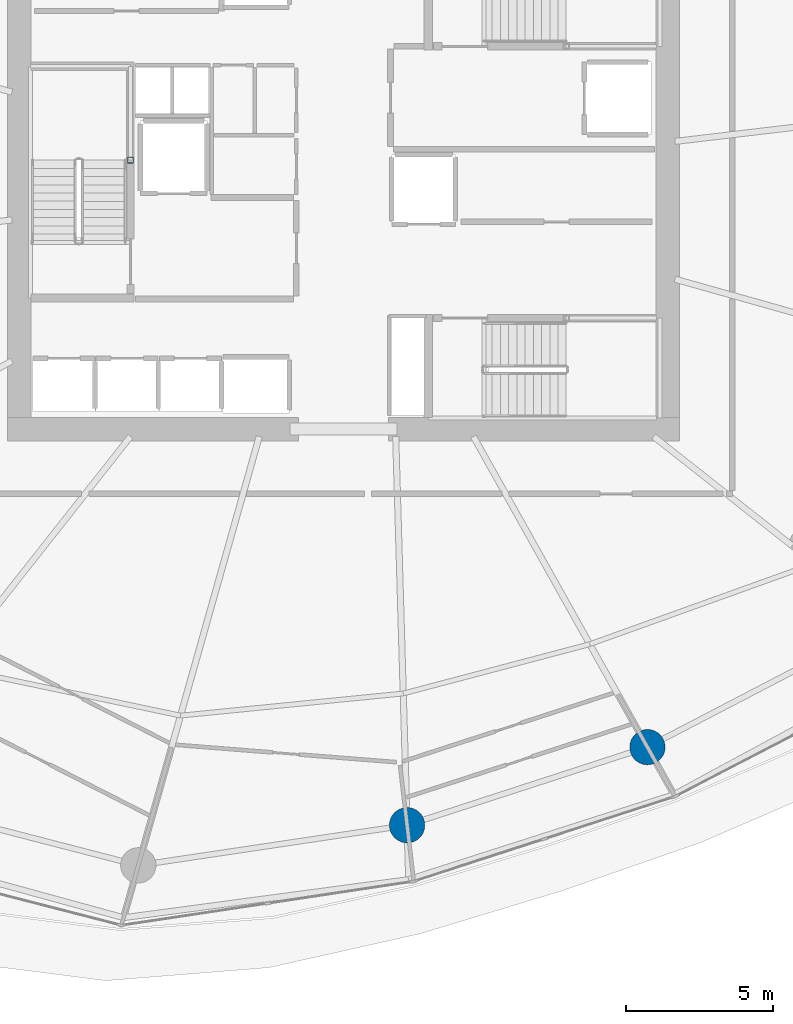
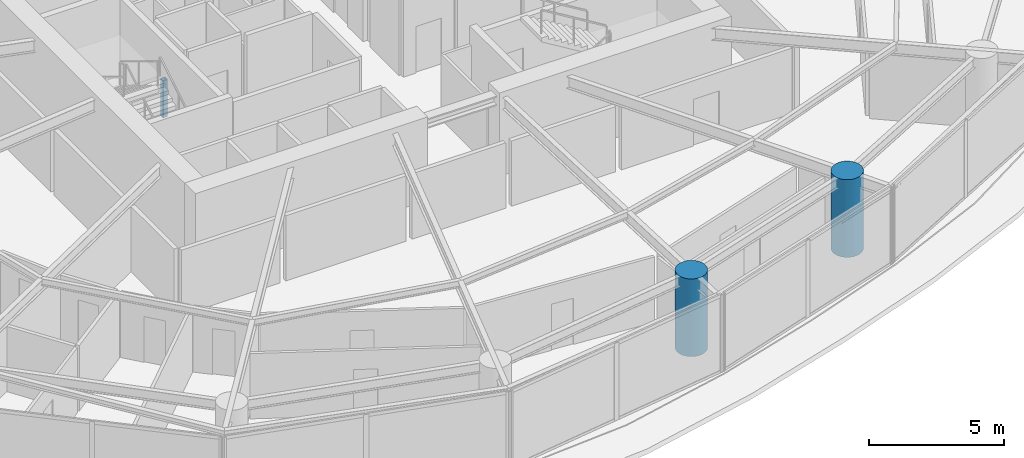
# One storey, part 2 of 17: 3 columns.
"""IFC4 building model written with IfcOpenShell, lengths in metres."""

from ifc_helpers import new_model, si_unit, direction, frame, origin, origin_2d, place, context, subcontext, project, spatial, hollow_rectangle, circle, extrude, material, material_profile, profile_set, type_object, element, save


model = new_model("IFC4")

# Units and contexts
model_context = context("Model", 3, precision=1e-05, world=origin(), true_north=direction((0.0, 1.0)))
body_context = subcontext(model_context, "Body", "Model", "MODEL_VIEW")
ifc_project = project(units=[si_unit("LENGTHUNIT", "METRE"), si_unit("AREAUNIT", "SQUARE_METRE"), si_unit("VOLUMEUNIT", "CUBIC_METRE"), si_unit("PLANEANGLEUNIT", "RADIAN"), si_unit("MASSUNIT", "GRAM", prefix="KILO")], contexts=[model_context])

# Site, building, storey
site_placement = place(None, origin())
site = spatial("IfcSite", under=ifc_project, at=site_placement, CompositionType="ELEMENT")
building_placement = place(site_placement, origin())
building = spatial("IfcBuilding", under=site, at=building_placement, Name="Kazma Halo Residences", CompositionType="ELEMENT")
storey_placement = place(building_placement, frame((0.0, 0.0, 75.14990234375)))
storey = spatial("IfcBuildingStorey", under=building, at=storey_placement, Name="L18", CompositionType="ELEMENT", Elevation=75.14990234375)

# Columns
ifc_material_1 = material(Name="Steel S355", Category="steel")
ifc_material_profile_1 = material_profile(ifc_material_1, hollow_rectangle(XDim=0.199951171875, YDim=0.199951171875, WallThickness=0.010009765625, InnerFilletRadius=0.010009765625, OuterFilletRadius=0.02001953125, at=origin_2d()), Name="SHS200x200x10")
ifc_profile_set_1 = profile_set([ifc_material_profile_1], Name="Steel S355")
column_type_1 = type_object("IfcColumnType", Name="COL-LP-SHS200", PredefinedType="COLUMN", material=ifc_profile_set_1)
column_placement = place(storey_placement, frame((41.179931640625, 42.75, 0.0), z_axis=(0.0, 0.0, 1.0), x_axis=(1.0, 0.0, 0.0)))
element("IfcColumn", 1, at=column_placement, inside=storey, type_object=column_type_1, Name="L18 ST-01 landing pilaster 1", PredefinedType="COLUMN", context=body_context, shape_type="SweptSolid", body=[
    extrude(hollow_rectangle(XDim=0.199951171875, YDim=0.199951171875, WallThickness=0.010009765625, InnerFilletRadius=0.010009765625, OuterFilletRadius=0.02001953125, at=origin_2d()), origin(), (0.0, 0.0, 1.0), 1.670166015625),
])
ifc_material_2 = material(Name="Concrete C80/95", Category="concrete")
ifc_material_profile_2 = material_profile(ifc_material_2, circle(Radius=0.60009765625, at=origin_2d()), Name="CIRC1200")
ifc_profile_set_2 = profile_set([ifc_material_profile_2], Name="Concrete C80/95")
column_type_2 = type_object("IfcColumnType", Name="COL-PERIM-1200", PredefinedType="COLUMN", material=ifc_profile_set_2)
for number, where, z_axis, x_axis, name in (
    (2, (50.58837890625, 20.130859375, 0.0), (0.0, 0.0, 1.0), (1.0, 0.0, 0.0), "L18 perimeter ring column P12"),
    (3, (58.76025390625, 22.7861328125, 0.0), (0.0, 0.0, 1.0), (1.0, 0.0, 0.0), "L18 perimeter ring column P13"),
):
    element("IfcColumn", number, at=place(storey_placement, frame(where, z_axis=z_axis, x_axis=x_axis)), inside=storey, type_object=column_type_2, Name=name, PredefinedType="COLUMN", context=body_context, shape_type="SweptSolid", body=[
        extrude(circle(Radius=0.60009765625, at=origin_2d()), origin(), (0.0, 0.0, 1.0), 3.5),
    ])

save(model, "model.ifc")
